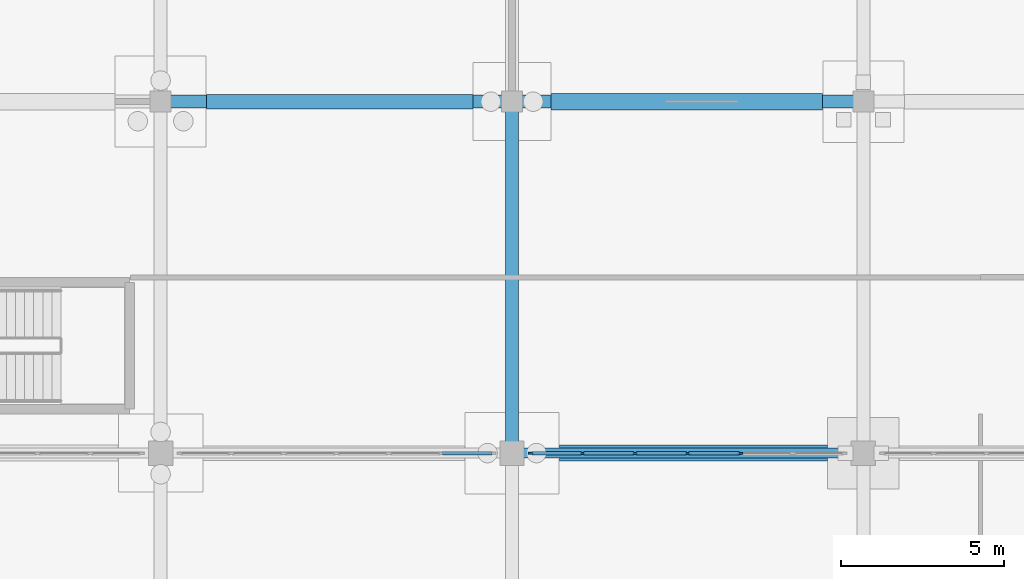
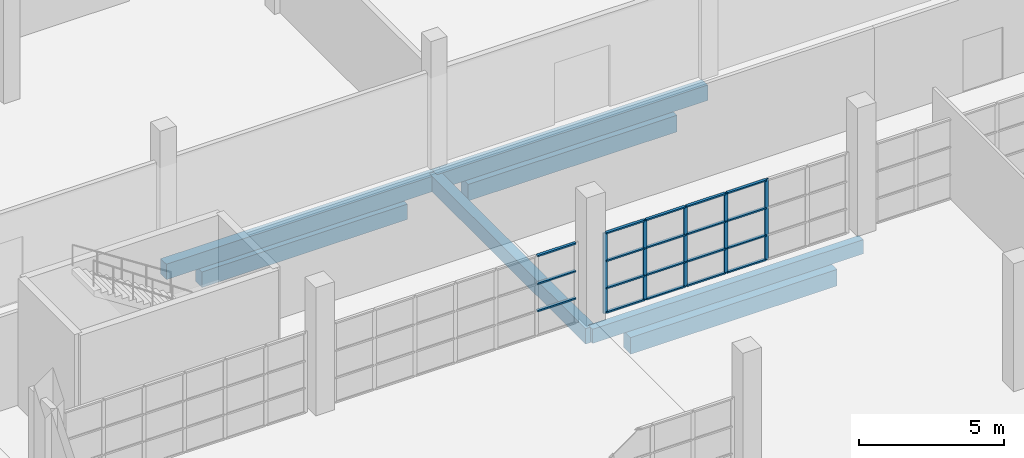
# One storey, part 54 of 138: 24 members, 7 beams, 2 elements without a shape of their own.
"""IFC4 building model written with IfcOpenShell, lengths in metres."""

from ifc_helpers import new_model, si_unit, direction, frame, origin, origin_2d, place, context, subcontext, project, spatial, rectangle, extrude, material, material_profile, profile_set, type_object, element, aggregate, save


model = new_model("IFC4")

# Units and contexts
model_context = context("Model", 3, precision=1e-05, world=origin(), true_north=direction((0.0, 1.0)))
body_context = subcontext(model_context, "Body", "Model", "MODEL_VIEW")
ifc_project = project(units=[si_unit("LENGTHUNIT", "METRE"), si_unit("AREAUNIT", "SQUARE_METRE"), si_unit("VOLUMEUNIT", "CUBIC_METRE"), si_unit("PLANEANGLEUNIT", "RADIAN"), si_unit("MASSUNIT", "GRAM", prefix="KILO")], contexts=[model_context])

# Site, building, storey
site_placement = place(None, origin())
site = spatial("IfcSite", under=ifc_project, at=site_placement, CompositionType="ELEMENT")
building_placement = place(site_placement, origin())
building = spatial("IfcBuilding", under=site, at=building_placement, Name="Zwinboog Wholesale Market", CompositionType="ELEMENT")
storey_placement = place(building_placement, origin())
storey = spatial("IfcBuildingStorey", under=building, at=storey_placement, Name="L00", CompositionType="ELEMENT", Elevation=0.0)

# Beams
ifc_material_1 = material(Name="Precast concrete C45/55", Category="concrete")
ifc_material_profile_1 = material_profile(ifc_material_1, rectangle(XDim=0.39990234375, YDim=0.64990234375, at=origin_2d()), Name="PC 400x650")
ifc_profile_set_1 = profile_set([ifc_material_profile_1], Name="Precast concrete C45/55")
beam_type_1 = type_object("IfcBeamType", Name="BT-05", PredefinedType="BEAM", material=ifc_profile_set_1)
beam_1_placement = place(storey_placement, frame((75.60009765625, 108.0, -0.719970703125), z_axis=(1.0, 0.0, 0.0), x_axis=(0.0, 1.0, 0.0)))
element("IfcBeam", 1, at=beam_1_placement, inside=storey, type_object=beam_type_1, Name="BG-05 (BMG-L00-0756-1080-0158)", PredefinedType="BEAM", context=body_context, shape_type="SweptSolid", body=[
    extrude(rectangle(XDim=0.39990234375, YDim=0.64990234375, at=origin_2d()), origin(), (0.0, 0.0, 1.0), 10.7998046875),
])
for number, where, z_axis, x_axis, name in (
    (2, (86.39990234375, 108.0, -0.719970703125), (1.0, 0.0, 0.0), (0.0, 1.0, 0.0), "BG-05 (BMG-L00-0864-1080-0159)"),
    (3, (86.39990234375, 97.199951171875, -0.719970703125), (0.0, 1.0, 0.0), (-1.0, 0.0, 0.0), "BG-05 (BMG-L00-0864-0972-0298)"),
):
    element("IfcBeam", number, at=place(storey_placement, frame(where, z_axis=z_axis, x_axis=x_axis)), inside=storey, type_object=beam_type_1, Name=name, PredefinedType="BEAM", context=body_context, shape_type="SweptSolid", body=[
        extrude(rectangle(XDim=0.39990234375, YDim=0.64990234375, at=origin_2d()), origin(), (0.0, 0.0, 1.0), 10.800048828125),
    ])
ifc_material_profile_2 = material_profile(ifc_material_1, rectangle(XDim=0.300048828125, YDim=0.60009765625, at=origin_2d()), Name="PC 300x600")
ifc_profile_set_2 = profile_set([ifc_material_profile_2], Name="Precast concrete C45/55")
beam_type_2 = type_object("IfcBeamType", Name="BT-09", PredefinedType="SPANDREL", material=ifc_profile_set_2)
beam_2_placement = place(storey_placement, frame((86.39990234375, 97.199951171875, -0.695068359375), z_axis=(1.0, 0.0, 0.0), x_axis=(0.0, 1.0, 0.0)))
element("IfcBeam", 4, at=beam_2_placement, inside=storey, type_object=beam_type_2, Name="SP-02 (BMG-L00-0864-0972-0139)", PredefinedType="SPANDREL", context=body_context, shape_type="SweptSolid", body=[
    extrude(rectangle(XDim=0.300048828125, YDim=0.60009765625, at=origin_2d()), origin(), (0.0, 0.0, 1.0), 10.800048828125),
])
ifc_material_2 = material(Name="Concrete C35/45", Category="concrete")
ifc_material_profile_3 = material_profile(ifc_material_2, rectangle(XDim=0.5, YDim=0.699951171875, at=origin_2d()), Name="RC 500x700")
ifc_profile_set_3 = profile_set([ifc_material_profile_3], Name="Concrete C35/45")
beam_type_3 = type_object("IfcBeamType", Name="BT-12", PredefinedType="USERDEFINED", material=ifc_profile_set_3)
beam_3_placement = place(storey_placement, frame((87.85498046875, 97.199951171875, -1.550048828125), z_axis=(1.0, 0.0, 0.0), x_axis=(0.0, 1.0, 0.0)))
element("IfcBeam", 5, at=beam_3_placement, inside=storey, type_object=beam_type_3, Name="GB-01 (BM-GB-0075)", ObjectType="GROUND_BEAM", PredefinedType="USERDEFINED", context=body_context, shape_type="SweptSolid", body=[
    extrude(rectangle(XDim=0.5, YDim=0.699951171875, at=origin_2d()), origin(), (0.0, 0.0, 1.0), 8.239990234375),
])
beam_4_placement = place(storey_placement, frame((87.60498046875, 108.0, -1.550048828125), z_axis=(1.0, 0.0, 0.0), x_axis=(0.0, 1.0, 0.0)))
element("IfcBeam", 6, at=beam_4_placement, inside=storey, type_object=beam_type_3, Name="GB-01 (BM-GB-0095)", ObjectType="GROUND_BEAM", PredefinedType="USERDEFINED", context=body_context, shape_type="SweptSolid", body=[
    extrude(rectangle(XDim=0.5, YDim=0.699951171875, at=origin_2d()), origin(), (0.0, 0.0, 1.0), 8.340087890625),
])
ifc_material_profile_4 = material_profile(ifc_material_2, rectangle(XDim=0.449951171875, YDim=0.64990234375, at=origin_2d()), Name="RC 450x650")
ifc_profile_set_4 = profile_set([ifc_material_profile_4], Name="Concrete C35/45")
beam_type_4 = type_object("IfcBeamType", Name="BT-13", PredefinedType="USERDEFINED", material=ifc_profile_set_4)
beam_5_placement = place(storey_placement, frame((77.0048828125, 108.0, -1.52490234375), z_axis=(1.0, 0.0, 0.0), x_axis=(0.0, 1.0, 0.0)))
element("IfcBeam", 7, at=beam_5_placement, inside=storey, type_object=beam_type_4, Name="GB-02 (BM-GB-0094)", ObjectType="GROUND_BEAM", PredefinedType="USERDEFINED", context=body_context, shape_type="SweptSolid", body=[
    extrude(rectangle(XDim=0.449951171875, YDim=0.64990234375, at=origin_2d()), origin(), (0.0, 0.0, 1.0), 8.190185546875),
])

# Curtain wall, members
ifc_material_3 = material(Name="Aluminium thermally broken curtain wall", Category="aluminium")
curtain_wall_type = type_object("IfcCurtainWallType", Name="CWT-INT-STALL", PredefinedType="USERDEFINED", material=ifc_material_3)
curtain_wall_1_placement = place(storey_placement, origin())
curtain_wall_1 = element("IfcCurtainWall", 8, at=curtain_wall_1_placement, inside=storey, type_object=curtain_wall_type, Name="CW-07 (CW-STL-201)", ObjectType="STOREFRONT_GLAZING", PredefinedType="USERDEFINED")
ifc_material_4 = material(Name="Aluminium EN AW-6060", Category="aluminium")
ifc_material_profile_5 = material_profile(ifc_material_4, rectangle(XDim=0.06005859375, YDim=0.14990234375, at=origin_2d()), Name="AL 60x150")
ifc_profile_set_5 = profile_set([ifc_material_profile_5], Name="Aluminium EN AW-6060")
member_type_1 = type_object("IfcMemberType", Name="CWM-INT-60x120", PredefinedType="MULLION", material=ifc_profile_set_5)
member_1_placement = place(storey_placement, frame((86.97998046875, 97.199951171875, 0.0), z_axis=(0.0, 0.0, 1.0), x_axis=(0.0, 1.0, 0.0)))
member_1 = element("IfcMember", 9, at=member_1_placement, type_object=member_type_1, Name="CW-07 mullion 1", PredefinedType="MULLION", context=body_context, shape_type="SweptSolid", body=[
    extrude(rectangle(XDim=0.06005859375, YDim=0.14990234375, at=origin_2d()), origin(), (0.0, 0.0, 1.0), 3.39990234375),
])
member_2_placement = place(storey_placement, frame((88.566650390625, 97.199951171875, 0.0), z_axis=(0.0, 0.0, 1.0), x_axis=(0.0, 1.0, 0.0)))
member_2 = element("IfcMember", 10, at=member_2_placement, type_object=member_type_1, Name="CW-07 mullion 2", PredefinedType="MULLION", context=body_context, shape_type="SweptSolid", body=[
    extrude(rectangle(XDim=0.06005859375, YDim=0.14990234375, at=origin_2d()), origin(), (0.0, 0.0, 1.0), 3.39990234375),
])
member_3_placement = place(storey_placement, frame((90.183349609375, 97.199951171875, 0.0), z_axis=(0.0, 0.0, 1.0), x_axis=(0.0, 1.0, 0.0)))
member_3 = element("IfcMember", 11, at=member_3_placement, type_object=member_type_1, Name="CW-07 mullion 3", PredefinedType="MULLION", context=body_context, shape_type="SweptSolid", body=[
    extrude(rectangle(XDim=0.06005859375, YDim=0.14990234375, at=origin_2d()), origin(), (0.0, 0.0, 1.0), 3.39990234375),
])
member_4_placement = place(storey_placement, frame((91.800048828125, 97.199951171875, 0.0), z_axis=(0.0, 0.0, 1.0), x_axis=(0.0, 1.0, 0.0)))
member_4 = element("IfcMember", 12, at=member_4_placement, type_object=member_type_1, Name="CW-07 mullion 4", PredefinedType="MULLION", context=body_context, shape_type="SweptSolid", body=[
    extrude(rectangle(XDim=0.06005859375, YDim=0.14990234375, at=origin_2d()), origin(), (0.0, 0.0, 1.0), 3.39990234375),
])
member_5_placement = place(storey_placement, frame((93.416748046875, 97.199951171875, 0.0), z_axis=(0.0, 0.0, 1.0), x_axis=(0.0, 1.0, 0.0)))
member_5 = element("IfcMember", 13, at=member_5_placement, type_object=member_type_1, Name="CW-07 mullion 5", PredefinedType="MULLION", context=body_context, shape_type="SweptSolid", body=[
    extrude(rectangle(XDim=0.06005859375, YDim=0.14990234375, at=origin_2d()), origin(), (0.0, 0.0, 1.0), 3.39990234375),
])

curtain_wall_2_placement = place(storey_placement, origin())
curtain_wall_2 = element("IfcCurtainWall", 14, at=curtain_wall_2_placement, inside=storey, type_object=curtain_wall_type, Name="CW-07 (CW-STL-200)", ObjectType="STOREFRONT_GLAZING", PredefinedType="USERDEFINED")
ifc_material_profile_6 = material_profile(ifc_material_4, rectangle(XDim=0.110107421875, YDim=0.06005859375, at=origin_2d()), Name="AL 60x110")
ifc_profile_set_6 = profile_set([ifc_material_profile_6], Name="Aluminium EN AW-6060")
member_type_2 = type_object("IfcMemberType", Name="CWT-INT-60x100", PredefinedType="USERDEFINED", material=ifc_profile_set_6)
member_6_placement = place(storey_placement, frame((84.263427734375, 97.199951171875, 1.050048828125), z_axis=(1.0, 0.0, 0.0), x_axis=(0.0, 1.0, 0.0)))
member_6 = element("IfcMember", 15, at=member_6_placement, type_object=member_type_2, Name="CW-07 transom 6.2", ObjectType="TRANSOM", PredefinedType="USERDEFINED", context=body_context, shape_type="SweptSolid", body=[
    extrude(rectangle(XDim=0.110107421875, YDim=0.06005859375, at=origin_2d()), origin(), (0.0, 0.0, 1.0), 1.526611328125),
])
member_7_placement = place(storey_placement, frame((84.263427734375, 97.199951171875, 2.199951171875), z_axis=(1.0, 0.0, 0.0), x_axis=(0.0, 1.0, 0.0)))
member_7 = element("IfcMember", 16, at=member_7_placement, type_object=member_type_2, Name="CW-07 transom 6.3", ObjectType="TRANSOM", PredefinedType="USERDEFINED", context=body_context, shape_type="SweptSolid", body=[
    extrude(rectangle(XDim=0.110107421875, YDim=0.06005859375, at=origin_2d()), origin(), (0.0, 0.0, 1.0), 1.526611328125),
])
member_8_placement = place(storey_placement, frame((84.263427734375, 97.199951171875, 3.3701171875), z_axis=(1.0, 0.0, 0.0), x_axis=(0.0, 1.0, 0.0)))
member_8 = element("IfcMember", 17, at=member_8_placement, type_object=member_type_2, Name="CW-07 transom 6.4", ObjectType="TRANSOM", PredefinedType="USERDEFINED", context=body_context, shape_type="SweptSolid", body=[
    extrude(rectangle(XDim=0.110107421875, YDim=0.06005859375, at=origin_2d()), origin(), (0.0, 0.0, 1.0), 1.526611328125),
])
aggregate(curtain_wall_2, [member_6, member_7, member_8])

# Member
member_9_placement = place(storey_placement, frame((87.010009765625, 97.199951171875, 0.030029296875), z_axis=(1.0, 0.0, 0.0), x_axis=(0.0, 1.0, 0.0)))
member_9 = element("IfcMember", 18, at=member_9_placement, type_object=member_type_2, Name="CW-07 transom 1.1", ObjectType="TRANSOM", PredefinedType="USERDEFINED", context=body_context, shape_type="SweptSolid", body=[
    extrude(rectangle(XDim=0.110107421875, YDim=0.06005859375, at=origin_2d()), origin(), (0.0, 0.0, 1.0), 1.526611328125),
])

member_10_placement = place(storey_placement, frame((87.010009765625, 97.199951171875, 1.050048828125), z_axis=(1.0, 0.0, 0.0), x_axis=(0.0, 1.0, 0.0)))
member_10 = element("IfcMember", 19, at=member_10_placement, type_object=member_type_2, Name="CW-07 transom 1.2", ObjectType="TRANSOM", PredefinedType="USERDEFINED", context=body_context, shape_type="SweptSolid", body=[
    extrude(rectangle(XDim=0.110107421875, YDim=0.06005859375, at=origin_2d()), origin(), (0.0, 0.0, 1.0), 1.526611328125),
])

member_11_placement = place(storey_placement, frame((87.010009765625, 97.199951171875, 2.199951171875), z_axis=(1.0, 0.0, 0.0), x_axis=(0.0, 1.0, 0.0)))
member_11 = element("IfcMember", 20, at=member_11_placement, type_object=member_type_2, Name="CW-07 transom 1.3", ObjectType="TRANSOM", PredefinedType="USERDEFINED", context=body_context, shape_type="SweptSolid", body=[
    extrude(rectangle(XDim=0.110107421875, YDim=0.06005859375, at=origin_2d()), origin(), (0.0, 0.0, 1.0), 1.526611328125),
])

member_12_placement = place(storey_placement, frame((87.010009765625, 97.199951171875, 3.3701171875), z_axis=(1.0, 0.0, 0.0), x_axis=(0.0, 1.0, 0.0)))
member_12 = element("IfcMember", 21, at=member_12_placement, type_object=member_type_2, Name="CW-07 transom 1.4", ObjectType="TRANSOM", PredefinedType="USERDEFINED", context=body_context, shape_type="SweptSolid", body=[
    extrude(rectangle(XDim=0.110107421875, YDim=0.06005859375, at=origin_2d()), origin(), (0.0, 0.0, 1.0), 1.526611328125),
])

member_13_placement = place(storey_placement, frame((88.5966796875, 97.199951171875, 0.030029296875), z_axis=(1.0, 0.0, 0.0), x_axis=(0.0, 1.0, 0.0)))
member_13 = element("IfcMember", 22, at=member_13_placement, type_object=member_type_2, Name="CW-07 transom 2.1", ObjectType="TRANSOM", PredefinedType="USERDEFINED", context=body_context, shape_type="SweptSolid", body=[
    extrude(rectangle(XDim=0.110107421875, YDim=0.06005859375, at=origin_2d()), origin(), (0.0, 0.0, 1.0), 1.556640625),
])

member_14_placement = place(storey_placement, frame((88.5966796875, 97.199951171875, 1.050048828125), z_axis=(1.0, 0.0, 0.0), x_axis=(0.0, 1.0, 0.0)))
member_14 = element("IfcMember", 23, at=member_14_placement, type_object=member_type_2, Name="CW-07 transom 2.2", ObjectType="TRANSOM", PredefinedType="USERDEFINED", context=body_context, shape_type="SweptSolid", body=[
    extrude(rectangle(XDim=0.110107421875, YDim=0.06005859375, at=origin_2d()), origin(), (0.0, 0.0, 1.0), 1.556640625),
])

member_15_placement = place(storey_placement, frame((88.5966796875, 97.199951171875, 2.199951171875), z_axis=(1.0, 0.0, 0.0), x_axis=(0.0, 1.0, 0.0)))
member_15 = element("IfcMember", 24, at=member_15_placement, type_object=member_type_2, Name="CW-07 transom 2.3", ObjectType="TRANSOM", PredefinedType="USERDEFINED", context=body_context, shape_type="SweptSolid", body=[
    extrude(rectangle(XDim=0.110107421875, YDim=0.06005859375, at=origin_2d()), origin(), (0.0, 0.0, 1.0), 1.556640625),
])

member_16_placement = place(storey_placement, frame((88.5966796875, 97.199951171875, 3.3701171875), z_axis=(1.0, 0.0, 0.0), x_axis=(0.0, 1.0, 0.0)))
member_16 = element("IfcMember", 25, at=member_16_placement, type_object=member_type_2, Name="CW-07 transom 2.4", ObjectType="TRANSOM", PredefinedType="USERDEFINED", context=body_context, shape_type="SweptSolid", body=[
    extrude(rectangle(XDim=0.110107421875, YDim=0.06005859375, at=origin_2d()), origin(), (0.0, 0.0, 1.0), 1.556640625),
])

member_17_placement = place(storey_placement, frame((90.21337890625, 97.199951171875, 0.030029296875), z_axis=(1.0, 0.0, 0.0), x_axis=(0.0, 1.0, 0.0)))
member_17 = element("IfcMember", 26, at=member_17_placement, type_object=member_type_2, Name="CW-07 transom 3.1", ObjectType="TRANSOM", PredefinedType="USERDEFINED", context=body_context, shape_type="SweptSolid", body=[
    extrude(rectangle(XDim=0.110107421875, YDim=0.06005859375, at=origin_2d()), origin(), (0.0, 0.0, 1.0), 1.556640625),
])

member_18_placement = place(storey_placement, frame((90.21337890625, 97.199951171875, 1.050048828125), z_axis=(1.0, 0.0, 0.0), x_axis=(0.0, 1.0, 0.0)))
member_18 = element("IfcMember", 27, at=member_18_placement, type_object=member_type_2, Name="CW-07 transom 3.2", ObjectType="TRANSOM", PredefinedType="USERDEFINED", context=body_context, shape_type="SweptSolid", body=[
    extrude(rectangle(XDim=0.110107421875, YDim=0.06005859375, at=origin_2d()), origin(), (0.0, 0.0, 1.0), 1.556640625),
])

member_19_placement = place(storey_placement, frame((90.21337890625, 97.199951171875, 2.199951171875), z_axis=(1.0, 0.0, 0.0), x_axis=(0.0, 1.0, 0.0)))
member_19 = element("IfcMember", 28, at=member_19_placement, type_object=member_type_2, Name="CW-07 transom 3.3", ObjectType="TRANSOM", PredefinedType="USERDEFINED", context=body_context, shape_type="SweptSolid", body=[
    extrude(rectangle(XDim=0.110107421875, YDim=0.06005859375, at=origin_2d()), origin(), (0.0, 0.0, 1.0), 1.556640625),
])

member_20_placement = place(storey_placement, frame((90.21337890625, 97.199951171875, 3.3701171875), z_axis=(1.0, 0.0, 0.0), x_axis=(0.0, 1.0, 0.0)))
member_20 = element("IfcMember", 29, at=member_20_placement, type_object=member_type_2, Name="CW-07 transom 3.4", ObjectType="TRANSOM", PredefinedType="USERDEFINED", context=body_context, shape_type="SweptSolid", body=[
    extrude(rectangle(XDim=0.110107421875, YDim=0.06005859375, at=origin_2d()), origin(), (0.0, 0.0, 1.0), 1.556640625),
])

member_21_placement = place(storey_placement, frame((91.830078125, 97.199951171875, 0.030029296875), z_axis=(1.0, 0.0, 0.0), x_axis=(0.0, 1.0, 0.0)))
member_21 = element("IfcMember", 30, at=member_21_placement, type_object=member_type_2, Name="CW-07 transom 4.1", ObjectType="TRANSOM", PredefinedType="USERDEFINED", context=body_context, shape_type="SweptSolid", body=[
    extrude(rectangle(XDim=0.110107421875, YDim=0.06005859375, at=origin_2d()), origin(), (0.0, 0.0, 1.0), 1.556640625),
])

member_22_placement = place(storey_placement, frame((91.830078125, 97.199951171875, 1.050048828125), z_axis=(1.0, 0.0, 0.0), x_axis=(0.0, 1.0, 0.0)))
member_22 = element("IfcMember", 31, at=member_22_placement, type_object=member_type_2, Name="CW-07 transom 4.2", ObjectType="TRANSOM", PredefinedType="USERDEFINED", context=body_context, shape_type="SweptSolid", body=[
    extrude(rectangle(XDim=0.110107421875, YDim=0.06005859375, at=origin_2d()), origin(), (0.0, 0.0, 1.0), 1.556640625),
])

member_23_placement = place(storey_placement, frame((91.830078125, 97.199951171875, 2.199951171875), z_axis=(1.0, 0.0, 0.0), x_axis=(0.0, 1.0, 0.0)))
member_23 = element("IfcMember", 32, at=member_23_placement, type_object=member_type_2, Name="CW-07 transom 4.3", ObjectType="TRANSOM", PredefinedType="USERDEFINED", context=body_context, shape_type="SweptSolid", body=[
    extrude(rectangle(XDim=0.110107421875, YDim=0.06005859375, at=origin_2d()), origin(), (0.0, 0.0, 1.0), 1.556640625),
])

member_24_placement = place(storey_placement, frame((91.830078125, 97.199951171875, 3.3701171875), z_axis=(1.0, 0.0, 0.0), x_axis=(0.0, 1.0, 0.0)))
member_24 = element("IfcMember", 33, at=member_24_placement, type_object=member_type_2, Name="CW-07 transom 4.4", ObjectType="TRANSOM", PredefinedType="USERDEFINED", context=body_context, shape_type="SweptSolid", body=[
    extrude(rectangle(XDim=0.110107421875, YDim=0.06005859375, at=origin_2d()), origin(), (0.0, 0.0, 1.0), 1.556640625),
])

aggregate(curtain_wall_1, [member_1, member_2, member_3, member_4, member_5, member_9, member_10, member_11, member_12, member_13, member_14, member_15, member_16, member_17, member_18, member_19, member_20, member_21, member_22, member_23, member_24])

save(model, "model.ifc")
